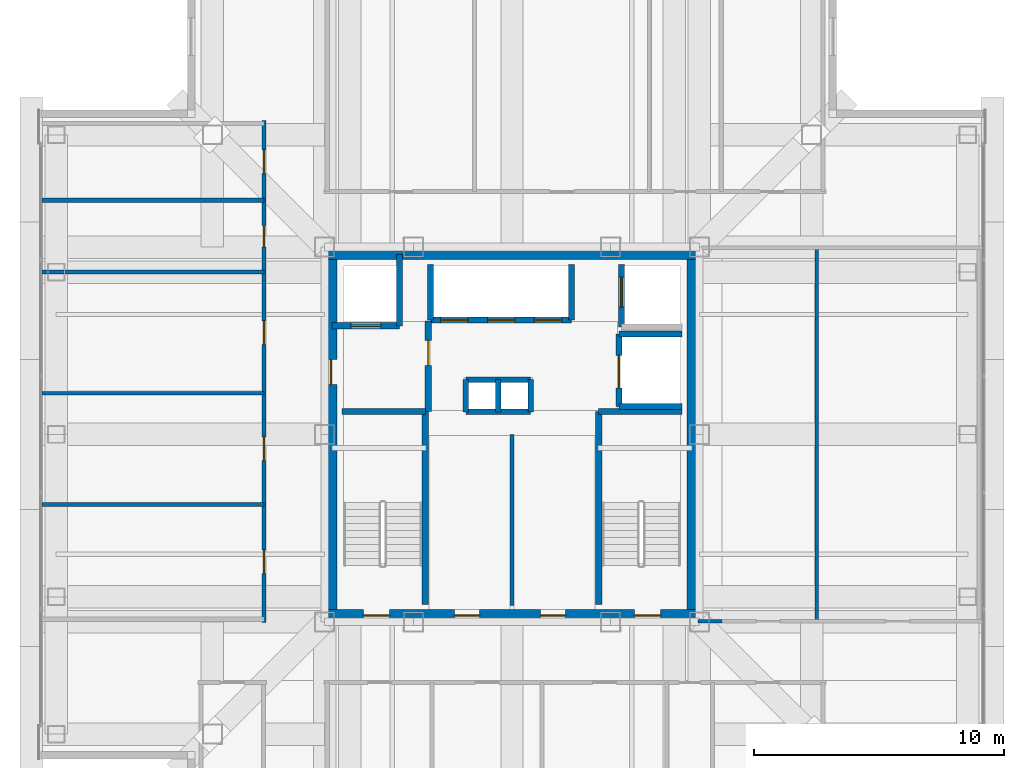
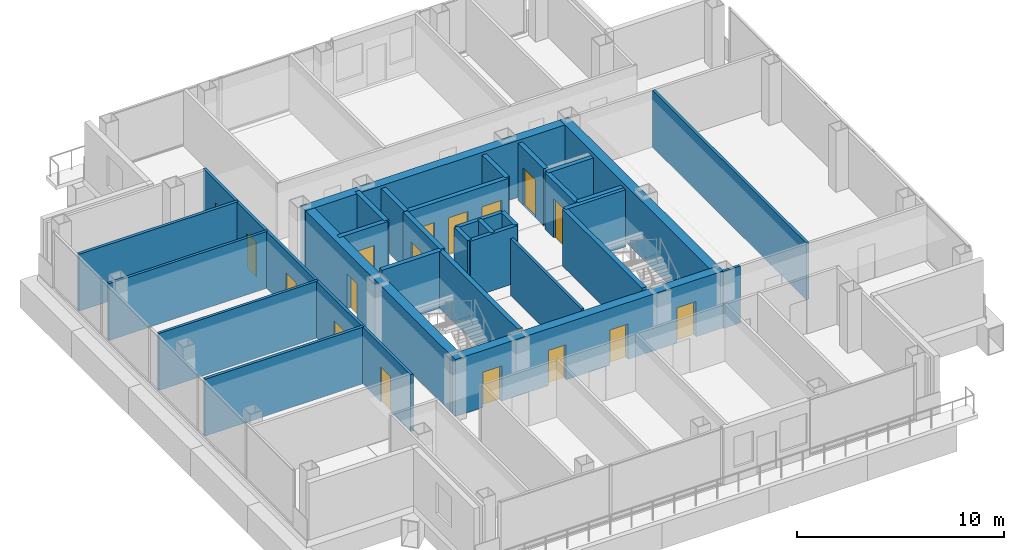
# One storey, part 8 of 15: 31 walls, 17 doors, 17 openings.
"""IFC4 building model written with IfcOpenShell, lengths in metres."""

import ifcopenshell
import ifcopenshell.guid

model = None  # the IFC model being written
_history = None  # IfcOwnerHistory: only IFC2X3 demands one
_inside = {}  # id of a spatial element -> (the spatial element, [elements in it])
_under = {}  # id of a project, library or spatial element -> (it, [spatial elements below it])
_declared = {}  # id of a project -> (the project, [libraries it declares])
_typed = {}  # id of a type object -> (the type object, [elements of that type])
_made_of = {}  # id of a material, layer set ... -> (it, [elements and type objects made of it])


def new_model(schema):
    """Start an empty IFC model of exactly this schema.

    Asked for "IFC4X3", IfcOpenShell would pick the latest addendum, in which some entities
    have other attributes; the version numbers below select the first issue.
    IFC2X3 requires an IfcOwnerHistory on every rooted entity: one is made here for all.
    """
    global model, _history
    if schema == "IFC4X3":
        model = ifcopenshell.file(schema_version=(4, 3, 0, 0))
    else:
        model = ifcopenshell.file(schema=schema)
    _inside.clear()
    _under.clear()
    _declared.clear()
    _typed.clear()
    _made_of.clear()
    _history = None
    if model.schema == "IFC2X3":
        org = make("IfcOrganization", Name="unknown")
        user = make(
            "IfcPersonAndOrganization",
            ThePerson=make("IfcPerson", FamilyName="unknown"),
            TheOrganization=org,
        )
        app = make(
            "IfcApplication",
            ApplicationDeveloper=org,
            Version="unknown",
            ApplicationFullName="unknown",
            ApplicationIdentifier="unknown",
        )
        _history = make(
            "IfcOwnerHistory",
            OwningUser=user,
            OwningApplication=app,
            ChangeAction="ADDED",
            CreationDate=0,
        )
    return model


def make(cls, **values):
    """One entity of the class cls with the attributes given. An attribute that is None is left unset."""
    return model.create_entity(
        cls, **{name: value for name, value in values.items() if value is not None}
    )


def rooted(cls, **values):
    """An entity with a GlobalId (a new one), such as an element, a storey or a relation."""
    return make(cls, GlobalId=ifcopenshell.guid.new(), OwnerHistory=_history, **values)


def si_unit(unit_type, name, prefix=None):
    """IfcSIUnit, for example si_unit("LENGTHUNIT", "METRE", prefix="MILLI")."""
    return make("IfcSIUnit", UnitType=unit_type, Prefix=prefix, Name=name)


def assignment(units):
    """IfcUnitAssignment: the units of a project."""
    return None if units is None else make("IfcUnitAssignment", Units=units)


def point(xyz):
    """IfcCartesianPoint."""
    return None if xyz is None else make("IfcCartesianPoint", Coordinates=xyz)


def direction(xyz):
    """IfcDirection."""
    return None if xyz is None else make("IfcDirection", DirectionRatios=xyz)


def frame(location, z_axis=None, x_axis=None):
    """IfcAxis2Placement3D, a coordinate frame: its origin and axes. An axis left out is left unset."""
    return make(
        "IfcAxis2Placement3D",
        Location=point(location),
        Axis=direction(z_axis),
        RefDirection=direction(x_axis),
    )


def frame_2d(location, x_axis=None):
    """IfcAxis2Placement2D, a coordinate frame in the plane: its origin and x axis."""
    return make(
        "IfcAxis2Placement2D", Location=point(location), RefDirection=direction(x_axis)
    )


def origin():
    """The frame at (0, 0, 0) with its axes left unset."""
    return frame((0.0, 0.0, 0.0))


def place(relative_to, where):
    """IfcLocalPlacement: puts the frame where relative to a parent placement (None: the world)."""
    return make(
        "IfcLocalPlacement", PlacementRelTo=relative_to, RelativePlacement=where
    )


def context(
    kind, dimensions, precision=None, world=None, true_north=None, identifier=None
):
    """IfcGeometricRepresentationContext, for example the 3D "Model" context."""
    return make(
        "IfcGeometricRepresentationContext",
        ContextIdentifier=identifier,
        ContextType=kind,
        CoordinateSpaceDimension=dimensions,
        Precision=precision,
        WorldCoordinateSystem=world,
        TrueNorth=true_north,
    )


def subcontext(parent, identifier, kind, view, scale=None):
    """IfcGeometricRepresentationSubContext, for example "Body" below "Model"."""
    return make(
        "IfcGeometricRepresentationSubContext",
        ContextIdentifier=identifier,
        ContextType=kind,
        ParentContext=parent,
        TargetScale=scale,
        TargetView=view,
    )


def project(units=None, contexts=None):
    """IfcProject with its units and contexts."""
    return rooted(
        "IfcProject",
        Name="project",
        RepresentationContexts=contexts,
        UnitsInContext=assignment(units),
    )


def spatial(cls, under=None, at=None, **own):
    """A site, building, storey or space (cls), placed at a placement, below another one or the project."""
    s = rooted(cls, ObjectPlacement=at, **own)
    if under is not None:
        _under.setdefault(under.id(), (under, []))[1].append(s)
    return s


def profile(cls, at=None, kind="AREA", **sizes):
    """A parametric profile (cls). Its sizes go by their IFC names, for example OverallWidth=200.0."""
    return make(cls, ProfileType=kind, Position=at, **sizes)


def rectangle(**sizes):
    """IfcRectangleProfileDef."""
    return profile("IfcRectangleProfileDef", **sizes)


def extrude(swept, where, along, depth):
    """IfcExtrudedAreaSolid: the profile swept, set in the frame where, extruded along a direction by depth."""
    return make(
        "IfcExtrudedAreaSolid",
        SweptArea=swept,
        Position=where,
        ExtrudedDirection=direction(along),
        Depth=depth,
    )


def shape(context_of_items, identifier, shape_type, items):
    """IfcShapeRepresentation: the items that make up one representation, for example the "Body"."""
    return make(
        "IfcShapeRepresentation",
        ContextOfItems=context_of_items,
        RepresentationIdentifier=identifier,
        RepresentationType=shape_type,
        Items=items,
    )


def material(Name=None, Category=None):
    """IfcMaterial."""
    return make("IfcMaterial", Name=Name, Category=Category)


def layer(
    of_material, thickness, ventilated=None, Name=None, Category=None, Priority=None
):
    """IfcMaterialLayer: one layer of a wall or slab, of a material (None: an air gap)."""
    return make(
        "IfcMaterialLayer",
        Material=of_material,
        LayerThickness=thickness,
        IsVentilated=ventilated,
        Name=Name,
        Category=Category,
        Priority=Priority,
    )


def layer_set(layers, Name=None):
    """IfcMaterialLayerSet."""
    return make("IfcMaterialLayerSet", MaterialLayers=layers, LayerSetName=Name)


def made_of(thing, what):
    """Note that an element or type object is made of a material, layer set ...; save() writes the relation."""
    if what is not None:
        _made_of.setdefault(what.id(), (what, []))[1].append(thing)
    return thing


def type_object(cls, material=None, **own):
    """A type object (cls), such as IfcWallType, which elements share."""
    return made_of(rooted(cls, **own), material)


def element(
    cls,
    number,
    at=None,
    inside=None,
    cuts=None,
    type_object=None,
    material=None,
    context=None,
    identifier="Body",
    shape_type=None,
    held_by="IfcProductDefinitionShape",
    body=None,
    shapes=None,
    **own,
):
    """One element of the class cls, such as IfcWall. Its Tag is "e" and its number.

    at: its placement. inside: the storey or other place that contains it. cuts: it is an
    opening in that element (IfcRelVoidsElement). A single representation is given by context,
    identifier, shape_type and body (its items); several are given by shapes. held_by: the class
    of the entity that holds the representations. save() writes the other relations.
    """
    e = rooted(cls, Tag="e%d" % number, ObjectPlacement=at, **own)
    if body is not None:
        shapes = [shape(context, identifier, shape_type, body)]
    if shapes is not None:
        e.Representation = make(held_by, Representations=shapes)
    if inside is not None:
        _inside.setdefault(inside.id(), (inside, []))[1].append(e)
    if cuts is not None:
        rooted(
            "IfcRelVoidsElement", RelatingBuildingElement=cuts, RelatedOpeningElement=e
        )
    if type_object is not None:
        _typed.setdefault(type_object.id(), (type_object, []))[1].append(e)
    return made_of(e, material)


def fill(opening, filler):
    """IfcRelFillsElement: the door or window that sits in an opening."""
    return rooted(
        "IfcRelFillsElement",
        RelatingOpeningElement=opening,
        RelatedBuildingElement=filler,
    )


def aggregate(whole, parts):
    """IfcRelAggregates: a whole, such as a stair, and the parts it consists of."""
    return rooted("IfcRelAggregates", RelatingObject=whole, RelatedObjects=parts)


def save(model, path):
    """Write the relations noted so far, then the file.

    IfcRelAggregates (storeys below a building ...), IfcRelContainedInSpatialStructure (elements
    in a storey), IfcRelDefinesByType, IfcRelAssociatesMaterial and IfcRelDeclares: one each for
    every whole, place, type object, material and project.
    """
    for whole, parts in _under.values():
        aggregate(whole, parts)
    for where, things in _inside.values():
        rooted(
            "IfcRelContainedInSpatialStructure",
            RelatedElements=things,
            RelatingStructure=where,
        )
    for kind, things in _typed.values():
        rooted("IfcRelDefinesByType", RelatedObjects=things, RelatingType=kind)
    for what, things in _made_of.values():
        rooted("IfcRelAssociatesMaterial", RelatedObjects=things, RelatingMaterial=what)
    for by, libraries in _declared.values():
        rooted("IfcRelDeclares", RelatingContext=by, RelatedDefinitions=libraries)
    model.write(path)


model = new_model("IFC4")

# Units and contexts
model_context = context("Model", 3, precision=1e-05, world=origin(), true_north=direction((0.0, 1.0)))
body_context = subcontext(model_context, "Body", "Model", "MODEL_VIEW")
ifc_project = project(units=[si_unit("LENGTHUNIT", "METRE"), si_unit("AREAUNIT", "SQUARE_METRE"), si_unit("VOLUMEUNIT", "CUBIC_METRE"), si_unit("PLANEANGLEUNIT", "RADIAN"), si_unit("MASSUNIT", "GRAM", prefix="KILO")], contexts=[model_context])

# Site, building, storey
site_placement = place(None, origin())
site = spatial("IfcSite", under=ifc_project, at=site_placement, CompositionType="ELEMENT")
building_placement = place(site_placement, origin())
building = spatial("IfcBuilding", under=site, at=building_placement, Name="Trevonay Congress Spire", CompositionType="ELEMENT")
storey_placement = place(building_placement, frame((0.0, 0.0, 232.39990234375)))
storey = spatial("IfcBuildingStorey", under=building, at=storey_placement, Name="L60", CompositionType="ELEMENT", Elevation=232.39990234375)

# Wall, openings, doors
ifc_material_1 = material(Name="Concrete C50/60", Category="concrete")
ifc_layer_1 = layer(ifc_material_1, 0.5, Name="Concrete C50/60")
ifc_layer_set_1 = layer_set([ifc_layer_1], Name="Concrete C50/60")
wall_type_1 = type_object("IfcWallType", Name="WAL-CORE-500", PredefinedType="SHEAR", material=ifc_layer_set_1)
wall_1_placement = place(storey_placement, frame((-7.5, -7.25, 0.0), z_axis=(0.0, 0.0, 1.0), x_axis=(1.0, 0.0, 0.0)))
wall_1 = element("IfcWall", 1, at=wall_1_placement, inside=storey, type_object=wall_type_1, Name="L60 South structural core shear wall", PredefinedType="SHEAR", context=body_context, shape_type="SweptSolid", body=[
    extrude(rectangle(XDim=15.0, YDim=0.5, at=frame_2d((7.5, 0.0))), origin(), (0.0, 0.0, 1.0), 3.360107421875),
])
opening_1_placement = place(wall_1_placement, frame((1.550048828125, 0.0, 0.0)))
opening_1 = element("IfcOpeningElement", 2, at=opening_1_placement, cuts=wall_1, Name="Opening D05", PredefinedType="OPENING", context=body_context, shape_type="SweptSolid", body=[
    extrude(rectangle(XDim=1.050048828125, YDim=2.080078125, at=frame_2d((0.52490234375, 1.0400390625))), frame((0.0, 0.260009765625, 0.0), z_axis=(0.0, -1.0, 0.0), x_axis=(1.0, 0.0, 0.0)), (0.0, 0.0, 1.0), 0.52001953125),
])
opening_2_placement = place(wall_1_placement, frame((12.39990234375, 0.0, 0.0)))
opening_2 = element("IfcOpeningElement", 3, at=opening_2_placement, cuts=wall_1, Name="Opening D05", PredefinedType="OPENING", context=body_context, shape_type="SweptSolid", body=[
    extrude(rectangle(XDim=1.050048828125, YDim=2.080078125, at=frame_2d((0.52490234375, 1.0400390625))), frame((0.0, 0.260009765625, 0.0), z_axis=(0.0, -1.0, 0.0), x_axis=(1.0, 0.0, 0.0)), (0.0, 0.0, 1.0), 0.52001953125),
])
opening_3_placement = place(wall_1_placement, frame((5.199951171875, 0.0, 0.0)))
opening_3 = element("IfcOpeningElement", 4, at=opening_3_placement, cuts=wall_1, Name="Opening D06", PredefinedType="OPENING", context=body_context, shape_type="SweptSolid", body=[
    extrude(rectangle(XDim=1.0, YDim=2.080078125, at=frame_2d((0.5, 1.0400390625))), frame((0.0, 0.260009765625, 0.0), z_axis=(0.0, -1.0, 0.0), x_axis=(1.0, 0.0, 0.0)), (0.0, 0.0, 1.0), 0.52001953125),
])
opening_4_placement = place(wall_1_placement, frame((8.64990234375, 0.0, 0.0)))
opening_4 = element("IfcOpeningElement", 5, at=opening_4_placement, cuts=wall_1, Name="Opening D06", PredefinedType="OPENING", context=body_context, shape_type="SweptSolid", body=[
    extrude(rectangle(XDim=1.0, YDim=2.080078125, at=frame_2d((0.5, 1.0400390625))), frame((0.0, 0.260009765625, 0.0), z_axis=(0.0, -1.0, 0.0), x_axis=(1.0, 0.0, 0.0)), (0.0, 0.0, 1.0), 0.52001953125),
])
ifc_material_2 = material(Name="Steel ASTM A572 Grade 50", Category="steel")
door_type_1 = type_object("IfcDoorType", Name="DOR-FIRE-100", OperationType="NOTDEFINED", PredefinedType="DOOR", material=ifc_material_2)
door_1_placement = place(opening_3_placement, origin())
door_1 = element("IfcDoor", 6, at=door_1_placement, inside=storey, type_object=door_type_1, Name="L60 South Core Room 1 Door", OperationType="SINGLE_SWING_LEFT", OverallHeight=2.080078125, OverallWidth=1.0, PredefinedType="DOOR", context=body_context, shape_type="SweptSolid", body=[
    extrude(rectangle(XDim=1.0, YDim=2.080078125, at=frame_2d((0.5, 1.0400390625))), frame((0.0, 0.02490234375, 0.0), z_axis=(0.0, -1.0, 0.0), x_axis=(1.0, 0.0, 0.0)), (0.0, 0.0, 1.0), 0.050048828125),
])
fill(opening_3, door_1)
door_2_placement = place(opening_4_placement, origin())
door_2 = element("IfcDoor", 7, at=door_2_placement, inside=storey, type_object=door_type_1, Name="L60 South Core Room 2 Door", OperationType="SINGLE_SWING_RIGHT", OverallHeight=2.080078125, OverallWidth=1.0, PredefinedType="DOOR", context=body_context, shape_type="SweptSolid", body=[
    extrude(rectangle(XDim=1.0, YDim=2.080078125, at=frame_2d((0.5, 1.0400390625))), frame((0.0, 0.02490234375, 0.0), z_axis=(0.0, -1.0, 0.0), x_axis=(1.0, 0.0, 0.0)), (0.0, 0.0, 1.0), 0.050048828125),
])
fill(opening_4, door_2)
door_type_2 = type_object("IfcDoorType", Name="DOR-STAIR-110", OperationType="NOTDEFINED", PredefinedType="DOOR", material=ifc_material_2)
door_3_placement = place(opening_1_placement, origin())
door_3 = element("IfcDoor", 8, at=door_3_placement, inside=storey, type_object=door_type_2, Name="L60 Protected Stair ST-1 Door", OperationType="SINGLE_SWING_RIGHT", OverallHeight=2.080078125, OverallWidth=1.050048828125, PredefinedType="DOOR", context=body_context, shape_type="SweptSolid", body=[
    extrude(rectangle(XDim=1.050048828125, YDim=2.080078125, at=frame_2d((0.52490234375, 1.0400390625))), frame((0.0, 0.02490234375, 0.0), z_axis=(0.0, -1.0, 0.0), x_axis=(1.0, 0.0, 0.0)), (0.0, 0.0, 1.0), 0.050048828125),
])
fill(opening_1, door_3)
door_4_placement = place(opening_2_placement, origin())
door_4 = element("IfcDoor", 9, at=door_4_placement, inside=storey, type_object=door_type_2, Name="L60 Protected Stair ST-2 Door", OperationType="SINGLE_SWING_LEFT", OverallHeight=2.080078125, OverallWidth=1.050048828125, PredefinedType="DOOR", context=body_context, shape_type="SweptSolid", body=[
    extrude(rectangle(XDim=1.050048828125, YDim=2.080078125, at=frame_2d((0.52490234375, 1.0400390625))), frame((0.0, 0.02490234375, 0.0), z_axis=(0.0, -1.0, 0.0), x_axis=(1.0, 0.0, 0.0)), (0.0, 0.0, 1.0), 0.050048828125),
])
fill(opening_2, door_4)

# Wall
wall_2_placement = place(storey_placement, frame((-7.5, 7.25, 0.0), z_axis=(0.0, 0.0, 1.0), x_axis=(1.0, 0.0, 0.0)))
element("IfcWall", 10, at=wall_2_placement, inside=storey, type_object=wall_type_1, Name="L60 North structural core shear wall", PredefinedType="SHEAR", context=body_context, shape_type="SweptSolid", body=[
    extrude(rectangle(XDim=15.0, YDim=0.5, at=frame_2d((7.5, 0.0))), origin(), (0.0, 0.0, 1.0), 3.360107421875),
])

# Wall, opening, door
wall_3_placement = place(storey_placement, frame((-7.25, -7.5, 0.0), z_axis=(0.0, 0.0, 1.0), x_axis=(0.0, 1.0, 0.0)))
wall_3 = element("IfcWall", 11, at=wall_3_placement, inside=storey, type_object=wall_type_1, Name="L60 West structural core shear wall", PredefinedType="SHEAR", context=body_context, shape_type="SweptSolid", body=[
    extrude(rectangle(XDim=15.0, YDim=0.5, at=frame_2d((7.5, 0.0))), origin(), (0.0, 0.0, 1.0), 3.360107421875),
])
opening_5_placement = place(wall_3_placement, frame((9.5, 0.0, 0.0)))
opening_5 = element("IfcOpeningElement", 12, at=opening_5_placement, cuts=wall_3, Name="Opening D06", PredefinedType="OPENING", context=body_context, shape_type="SweptSolid", body=[
    extrude(rectangle(XDim=1.0, YDim=2.080078125, at=frame_2d((0.5, 1.0400390625))), frame((0.0, 0.260009765625, 0.0), z_axis=(0.0, -1.0, 0.0), x_axis=(1.0, 0.0, 0.0)), (0.0, 0.0, 1.0), 0.52001953125),
])
door_5_placement = place(opening_5_placement, origin())
door_5 = element("IfcDoor", 13, at=door_5_placement, inside=storey, type_object=door_type_1, Name="L60 Firefighting Lift Lobby West Corridor Door", OperationType="SINGLE_SWING_RIGHT", OverallHeight=2.080078125, OverallWidth=1.0, PredefinedType="DOOR", context=body_context, shape_type="SweptSolid", body=[
    extrude(rectangle(XDim=1.0, YDim=2.080078125, at=frame_2d((0.5, 1.0400390625))), frame((0.0, 0.02490234375, 0.0), z_axis=(0.0, -1.0, 0.0), x_axis=(1.0, 0.0, 0.0)), (0.0, 0.0, 1.0), 0.050048828125),
])
fill(opening_5, door_5)

# Wall
wall_4_placement = place(storey_placement, frame((7.25, -7.5, 0.0), z_axis=(0.0, 0.0, 1.0), x_axis=(0.0, 1.0, 0.0)))
element("IfcWall", 14, at=wall_4_placement, inside=storey, type_object=wall_type_1, Name="L60 East structural core shear wall", PredefinedType="SHEAR", context=body_context, shape_type="SweptSolid", body=[
    extrude(rectangle(XDim=15.0, YDim=0.5, at=frame_2d((7.5, 0.0))), origin(), (0.0, 0.0, 1.0), 3.360107421875),
])

# Wall, openings, doors
ifc_material_3 = material(Name="Concrete C40/50", Category="concrete")
ifc_layer_2 = layer(ifc_material_3, 0.14990234375, Name="Concrete C40/50")
ifc_layer_set_2 = layer_set([ifc_layer_2], Name="Concrete C40/50")
wall_type_2 = type_object("IfcWallType", Name="WAL-CORR-150", PredefinedType="PARTITIONING", material=ifc_layer_set_2)
wall_5_placement = place(storey_placement, frame((-9.929931640625, -7.52001953125, 0.0), z_axis=(0.0, 0.0, 1.0), x_axis=(0.0, 1.0, 0.0)))
wall_5 = element("IfcWall", 15, at=wall_5_placement, inside=storey, type_object=wall_type_2, Name="L60 interior wall WP-L60NW-COR", PredefinedType="PARTITIONING", context=body_context, shape_type="SweptSolid", body=[
    extrude(rectangle(XDim=20.090087890625, YDim=0.14990234375, at=frame_2d((10.044921875, 0.0))), origin(), (0.0, 0.0, 1.0), 3.360107421875),
])
opening_6_placement = place(wall_5_placement, frame((1.945068359375, 0.0, 0.0)))
opening_6 = element("IfcOpeningElement", 16, at=opening_6_placement, cuts=wall_5, Name="Opening D07", PredefinedType="OPENING", context=body_context, shape_type="SweptSolid", body=[
    extrude(rectangle(XDim=0.949951171875, YDim=2.06005859375, at=frame_2d((0.47509765625, 1.030029296875))), frame((0.0, 0.0849609375, 0.0), z_axis=(0.0, -1.0, 0.0), x_axis=(1.0, 0.0, 0.0)), (0.0, 0.0, 1.0), 0.169921875),
])
opening_7_placement = place(wall_5_placement, frame((6.469970703125, 0.0, 0.0)))
opening_7 = element("IfcOpeningElement", 17, at=opening_7_placement, cuts=wall_5, Name="Opening D07", PredefinedType="OPENING", context=body_context, shape_type="SweptSolid", body=[
    extrude(rectangle(XDim=0.949951171875, YDim=2.06005859375, at=frame_2d((0.47509765625, 1.030029296875))), frame((0.0, 0.0849609375, 0.0), z_axis=(0.0, -1.0, 0.0), x_axis=(1.0, 0.0, 0.0)), (0.0, 0.0, 1.0), 0.169921875),
])
opening_8_placement = place(wall_5_placement, frame((11.1201171875, 0.0, 0.0)))
opening_8 = element("IfcOpeningElement", 18, at=opening_8_placement, cuts=wall_5, Name="Opening D07", PredefinedType="OPENING", context=body_context, shape_type="SweptSolid", body=[
    extrude(rectangle(XDim=0.949951171875, YDim=2.06005859375, at=frame_2d((0.47509765625, 1.030029296875))), frame((0.0, 0.0849609375, 0.0), z_axis=(0.0, -1.0, 0.0), x_axis=(1.0, 0.0, 0.0)), (0.0, 0.0, 1.0), 0.169921875),
])
opening_9_placement = place(wall_5_placement, frame((15.034912109375, 0.0, 0.0)))
opening_9 = element("IfcOpeningElement", 19, at=opening_9_placement, cuts=wall_5, Name="Opening D10", PredefinedType="OPENING", context=body_context, shape_type="SweptSolid", body=[
    extrude(rectangle(XDim=0.85009765625, YDim=2.050048828125, at=frame_2d((0.425048828125, 1.02490234375))), frame((0.0, 0.0849609375, 0.0), z_axis=(0.0, -1.0, 0.0), x_axis=(1.0, 0.0, 0.0)), (0.0, 0.0, 1.0), 0.169921875),
])
opening_10_placement = place(wall_5_placement, frame((17.9599609375, 0.0, 0.0)))
opening_10 = element("IfcOpeningElement", 20, at=opening_10_placement, cuts=wall_5, Name="Opening D07", PredefinedType="OPENING", context=body_context, shape_type="SweptSolid", body=[
    extrude(rectangle(XDim=0.949951171875, YDim=2.06005859375, at=frame_2d((0.47509765625, 1.030029296875))), frame((0.0, 0.0849609375, 0.0), z_axis=(0.0, -1.0, 0.0), x_axis=(1.0, 0.0, 0.0)), (0.0, 0.0, 1.0), 0.169921875),
])
ifc_material_4 = material(Name="Pale Anodised Aluminium EN AW-6063-T6", Category="aluminium")
door_type_3 = type_object("IfcDoorType", Name="DOR-OFFICE-95", OperationType="NOTDEFINED", PredefinedType="DOOR", material=ifc_material_4)
door_6_placement = place(opening_6_placement, origin())
door_6 = element("IfcDoor", 21, at=door_6_placement, inside=storey, type_object=door_type_3, Name="L60 Cultural Attache Office Door", OperationType="SINGLE_SWING_RIGHT", OverallHeight=2.06005859375, OverallWidth=0.949951171875, PredefinedType="DOOR", context=body_context, shape_type="SweptSolid", body=[
    extrude(rectangle(XDim=0.949951171875, YDim=2.06005859375, at=frame_2d((0.47509765625, 1.030029296875))), frame((0.0, 0.02490234375, 0.0), z_axis=(0.0, -1.0, 0.0), x_axis=(1.0, 0.0, 0.0)), (0.0, 0.0, 1.0), 0.050048828125),
])
fill(opening_6, door_6)
door_7_placement = place(opening_7_placement, origin())
door_7 = element("IfcDoor", 22, at=door_7_placement, inside=storey, type_object=door_type_3, Name="L60 Press Attache Office Door", OperationType="SINGLE_SWING_LEFT", OverallHeight=2.06005859375, OverallWidth=0.949951171875, PredefinedType="DOOR", context=body_context, shape_type="SweptSolid", body=[
    extrude(rectangle(XDim=0.949951171875, YDim=2.06005859375, at=frame_2d((0.47509765625, 1.030029296875))), frame((0.0, 0.02490234375, 0.0), z_axis=(0.0, -1.0, 0.0), x_axis=(1.0, 0.0, 0.0)), (0.0, 0.0, 1.0), 0.050048828125),
])
fill(opening_7, door_7)
door_8_placement = place(opening_8_placement, origin())
door_8 = element("IfcDoor", 23, at=door_8_placement, inside=storey, type_object=door_type_3, Name="L60 Registry Cipher Office Door", OperationType="SINGLE_SWING_RIGHT", OverallHeight=2.06005859375, OverallWidth=0.949951171875, PredefinedType="DOOR", context=body_context, shape_type="SweptSolid", body=[
    extrude(rectangle(XDim=0.949951171875, YDim=2.06005859375, at=frame_2d((0.47509765625, 1.030029296875))), frame((0.0, 0.02490234375, 0.0), z_axis=(0.0, -1.0, 0.0), x_axis=(1.0, 0.0, 0.0)), (0.0, 0.0, 1.0), 0.050048828125),
])
fill(opening_8, door_8)
door_9_placement = place(opening_10_placement, origin())
door_9 = element("IfcDoor", 24, at=door_9_placement, inside=storey, type_object=door_type_3, Name="L60 Floor Supplies and Copy Room Door", OperationType="SINGLE_SWING_RIGHT", OverallHeight=2.06005859375, OverallWidth=0.949951171875, PredefinedType="DOOR", context=body_context, shape_type="SweptSolid", body=[
    extrude(rectangle(XDim=0.949951171875, YDim=2.06005859375, at=frame_2d((0.47509765625, 1.030029296875))), frame((0.0, 0.02490234375, 0.0), z_axis=(0.0, -1.0, 0.0), x_axis=(1.0, 0.0, 0.0)), (0.0, 0.0, 1.0), 0.050048828125),
])
fill(opening_10, door_9)
door_type_4 = type_object("IfcDoorType", Name="DOR-WC-85", OperationType="NOTDEFINED", PredefinedType="DOOR", material=ifc_material_4)
door_10_placement = place(opening_9_placement, origin())
door_10 = element("IfcDoor", 25, at=door_10_placement, inside=storey, type_object=door_type_4, Name="L60 Male Restroom WC Door", OperationType="SINGLE_SWING_LEFT", OverallHeight=2.050048828125, OverallWidth=0.85009765625, PredefinedType="DOOR", context=body_context, shape_type="SweptSolid", body=[
    extrude(rectangle(XDim=0.85009765625, YDim=2.050048828125, at=frame_2d((0.425048828125, 1.02490234375))), frame((0.0, 0.02490234375, 0.0), z_axis=(0.0, -1.0, 0.0), x_axis=(1.0, 0.0, 0.0)), (0.0, 0.0, 1.0), 0.050048828125),
])
fill(opening_9, door_10)

# Walls
wall_6_placement = place(storey_placement, frame((7.449951171875, -7.47998046875, 0.0), z_axis=(0.0, 0.0, 1.0), x_axis=(1.0, 0.0, 0.0)))
element("IfcWall", 26, at=wall_6_placement, inside=storey, type_object=wall_type_2, Name="L60 interior wall WP-L60E-STUB", PredefinedType="PARTITIONING", context=body_context, shape_type="SweptSolid", body=[
    extrude(rectangle(XDim=0.949951171875, YDim=0.14990234375, at=frame_2d((0.47509765625, 0.0))), origin(), (0.0, 0.0, 1.0), 3.360107421875),
])
ifc_layer_3 = layer(ifc_material_3, 0.14990234375, Name="Concrete C40/50")
ifc_layer_set_3 = layer_set([ifc_layer_3], Name="Concrete C40/50")
wall_type_3 = type_object("IfcWallType", Name="WAL-PART-150", PredefinedType="PARTITIONING", material=ifc_layer_set_3)
wall_7_placement = place(storey_placement, frame((0.0, -6.85009765625, 0.0), z_axis=(0.0, 0.0, 1.0), x_axis=(0.0, 1.0, 0.0)))
element("IfcWall", 27, at=wall_7_placement, inside=storey, type_object=wall_type_3, Name="L60 interior wall CW-F0-L60", PredefinedType="PARTITIONING", context=body_context, shape_type="SweptSolid", body=[
    extrude(rectangle(XDim=6.85009765625, YDim=0.14990234375, at=frame_2d((3.425048828125, 0.0))), origin(), (0.0, 0.0, 1.0), 3.360107421875),
])
for number, where, z_axis, x_axis, name in (
    (28, (-18.820068359375, 1.64990234375, 0.0), (0.0, 0.0, 1.0), (1.0, 0.0, 0.0), "L60 interior wall WP-L60NW-DIV3"),
    (29, (-18.820068359375, 6.5, 0.0), (0.0, 0.0, 1.0), (1.0, 0.0, 0.0), "L60 interior wall WP-L60NW-DIV4"),
):
    element("IfcWall", number, at=place(storey_placement, frame(where, z_axis=z_axis, x_axis=x_axis)), inside=storey, type_object=wall_type_3, Name=name, PredefinedType="PARTITIONING", context=body_context, shape_type="SweptSolid", body=[
        extrude(rectangle(XDim=8.89013671875, YDim=0.14990234375, at=frame_2d((4.445068359375, 0.0))), origin(), (0.0, 0.0, 1.0), 3.360107421875),
    ])
wall_8_placement = place(storey_placement, frame((12.199951171875, -7.47998046875, 0.0), z_axis=(0.0, 0.0, 1.0), x_axis=(0.0, 1.0, 0.0)))
element("IfcWall", 30, at=wall_8_placement, inside=storey, type_object=wall_type_3, Name="L60 interior wall WP-L60E-DIV1", PredefinedType="PARTITIONING", context=body_context, shape_type="SweptSolid", body=[
    extrude(rectangle(XDim=14.89990234375, YDim=0.14990234375, at=frame_2d((7.449951171875, 0.0))), origin(), (0.0, 0.0, 1.0), 3.360107421875),
])
ifc_layer_4 = layer(ifc_material_3, 0.219970703125, Name="Concrete C40/50")
ifc_layer_set_4 = layer_set([ifc_layer_4], Name="Concrete C40/50")
wall_type_4 = type_object("IfcWallType", Name="WAL-SHAFT-220", PredefinedType="PARTITIONING", material=ifc_layer_set_4)
for number, where, z_axis, x_axis, name in (
    (31, (-1.85009765625, 2.199951171875, 0.0), (0.0, 0.0, 1.0), (1.0, 0.0, 0.0), "L60 interior shaft wall WSH-L60-RSR-N"),
    (32, (-1.85009765625, 0.89990234375, 0.0), (0.0, 0.0, 1.0), (1.0, 0.0, 0.0), "L60 interior shaft wall WSH-L60-RSR-S"),
):
    element("IfcWall", number, at=place(storey_placement, frame(where, z_axis=z_axis, x_axis=x_axis)), inside=storey, type_object=wall_type_4, Name=name, PredefinedType="PARTITIONING", context=body_context, shape_type="SweptSolid", body=[
        extrude(rectangle(XDim=2.60009765625, YDim=0.219970703125, at=frame_2d((1.300048828125, 0.0))), origin(), (0.0, 0.0, 1.0), 3.360107421875),
    ])
for number, where, z_axis, x_axis, name in (
    (33, (-0.550048828125, 0.89990234375, 0.0), (0.0, 0.0, 1.0), (0.0, 1.0, 0.0), "L60 interior shaft wall WSH-L60-RSR-M"),
    (34, (0.75, 0.89990234375, 0.0), (0.0, 0.0, 1.0), (0.0, 1.0, 0.0), "L60 interior shaft wall WSH-L60-RSR-E"),
    (35, (-1.85009765625, 0.89990234375, 0.0), (0.0, 0.0, 1.0), (0.0, 1.0, 0.0), "L60 interior shaft wall WSH-L60-RSR-W"),
):
    element("IfcWall", number, at=place(storey_placement, frame(where, z_axis=z_axis, x_axis=x_axis)), inside=storey, type_object=wall_type_4, Name=name, PredefinedType="PARTITIONING", context=body_context, shape_type="SweptSolid", body=[
        extrude(rectangle(XDim=1.300048828125, YDim=0.219970703125, at=frame_2d((0.64990234375, 0.0))), origin(), (0.0, 0.0, 1.0), 3.360107421875),
    ])

# Wall, openings, doors
ifc_layer_5 = layer(ifc_material_3, 0.25, Name="Concrete C40/50")
ifc_layer_set_5 = layer_set([ifc_layer_5], Name="Concrete C40/50")
wall_type_5 = type_object("IfcWallType", Name="WAL-SHAFT-250", PredefinedType="SHEAR", material=ifc_layer_set_5)
wall_9_placement = place(storey_placement, frame((-3.260009765625, 4.580078125, 0.0), z_axis=(0.0, 0.0, 1.0), x_axis=(1.0, 0.0, 0.0)))
wall_9 = element("IfcWall", 36, at=wall_9_placement, inside=storey, type_object=wall_type_5, Name="L60 interior shaft wall WSH-L60-B3-S", PredefinedType="SHEAR", context=body_context, shape_type="SweptSolid", body=[
    extrude(rectangle(XDim=5.639892578125, YDim=0.25, at=frame_2d((2.81982421875, 0.0))), origin(), (0.0, 0.0, 1.0), 3.360107421875),
])
opening_11_placement = place(wall_9_placement, frame((0.39990234375, 0.0, 0.0)))
opening_11 = element("IfcOpeningElement", 37, at=opening_11_placement, cuts=wall_9, Name="Opening LD03", PredefinedType="OPENING", context=body_context, shape_type="SweptSolid", body=[
    extrude(rectangle(XDim=1.10009765625, YDim=2.199951171875, at=frame_2d((0.550048828125, 1.10009765625))), frame((0.0, 0.135009765625, 0.0), z_axis=(0.0, -1.0, 0.0), x_axis=(1.0, 0.0, 0.0)), (0.0, 0.0, 1.0), 0.27001953125),
])
opening_12_placement = place(wall_9_placement, frame((2.280029296875, 0.0, 0.0)))
opening_12 = element("IfcOpeningElement", 38, at=opening_12_placement, cuts=wall_9, Name="Opening LD03", PredefinedType="OPENING", context=body_context, shape_type="SweptSolid", body=[
    extrude(rectangle(XDim=1.10009765625, YDim=2.199951171875, at=frame_2d((0.550048828125, 1.10009765625))), frame((0.0, 0.135009765625, 0.0), z_axis=(0.0, -1.0, 0.0), x_axis=(1.0, 0.0, 0.0)), (0.0, 0.0, 1.0), 0.27001953125),
])
opening_13_placement = place(wall_9_placement, frame((4.159912109375, 0.0, 0.0)))
opening_13 = element("IfcOpeningElement", 39, at=opening_13_placement, cuts=wall_9, Name="Opening LD03", PredefinedType="OPENING", context=body_context, shape_type="SweptSolid", body=[
    extrude(rectangle(XDim=1.10009765625, YDim=2.199951171875, at=frame_2d((0.550048828125, 1.10009765625))), frame((0.0, 0.135009765625, 0.0), z_axis=(0.0, -1.0, 0.0), x_axis=(1.0, 0.0, 0.0)), (0.0, 0.0, 1.0), 0.27001953125),
])
door_type_5 = type_object("IfcDoorType", Name="DOR-LIFT-LD03", OperationType="DOUBLE_DOOR_SLIDING", PredefinedType="DOOR", material=ifc_material_4)
door_11_placement = place(opening_11_placement, origin())
door_11 = element("IfcDoor", 40, at=door_11_placement, inside=storey, type_object=door_type_5, Name="L60 Passenger lift PL-07 landing door", OperationType="DOUBLE_DOOR_SLIDING", OverallHeight=2.199951171875, OverallWidth=1.10009765625, PredefinedType="DOOR", context=body_context, shape_type="SweptSolid", body=[
    extrude(rectangle(XDim=1.10009765625, YDim=2.199951171875, at=frame_2d((0.550048828125, 1.10009765625))), frame((0.0, 0.02490234375, 0.0), z_axis=(0.0, -1.0, 0.0), x_axis=(1.0, 0.0, 0.0)), (0.0, 0.0, 1.0), 0.050048828125),
])
fill(opening_11, door_11)
door_12_placement = place(opening_12_placement, origin())
door_12 = element("IfcDoor", 41, at=door_12_placement, inside=storey, type_object=door_type_5, Name="L60 Passenger lift PL-08 landing door", OperationType="DOUBLE_DOOR_SLIDING", OverallHeight=2.199951171875, OverallWidth=1.10009765625, PredefinedType="DOOR", context=body_context, shape_type="SweptSolid", body=[
    extrude(rectangle(XDim=1.10009765625, YDim=2.199951171875, at=frame_2d((0.550048828125, 1.10009765625))), frame((0.0, 0.02490234375, 0.0), z_axis=(0.0, -1.0, 0.0), x_axis=(1.0, 0.0, 0.0)), (0.0, 0.0, 1.0), 0.050048828125),
])
fill(opening_12, door_12)
door_13_placement = place(opening_13_placement, origin())
door_13 = element("IfcDoor", 42, at=door_13_placement, inside=storey, type_object=door_type_5, Name="L60 Passenger lift PL-09 landing door", OperationType="DOUBLE_DOOR_SLIDING", OverallHeight=2.199951171875, OverallWidth=1.10009765625, PredefinedType="DOOR", context=body_context, shape_type="SweptSolid", body=[
    extrude(rectangle(XDim=1.10009765625, YDim=2.199951171875, at=frame_2d((0.550048828125, 1.10009765625))), frame((0.0, 0.02490234375, 0.0), z_axis=(0.0, -1.0, 0.0), x_axis=(1.0, 0.0, 0.0)), (0.0, 0.0, 1.0), 0.050048828125),
])
fill(opening_13, door_13)

# Walls
for number, where, z_axis, x_axis, name in (
    (43, (-3.260009765625, 4.580078125, 0.0), (0.0, 0.0, 1.0), (0.0, 1.0, 0.0), "L60 interior shaft wall WSH-L60-B3-W"),
    (44, (2.3798828125, 4.580078125, 0.0), (0.0, 0.0, 1.0), (0.0, 1.0, 0.0), "L60 interior shaft wall WSH-L60-B3-E"),
):
    element("IfcWall", number, at=place(storey_placement, frame(where, z_axis=z_axis, x_axis=x_axis)), inside=storey, type_object=wall_type_5, Name=name, PredefinedType="SHEAR", context=body_context, shape_type="SweptSolid", body=[
        extrude(rectangle(XDim=2.219970703125, YDim=0.25, at=frame_2d((1.10986328125, 0.0))), origin(), (0.0, 0.0, 1.0), 3.360107421875),
    ])

# Wall, opening, door
wall_10_placement = place(storey_placement, frame((-7.199951171875, 4.35009765625, 0.0), z_axis=(0.0, 0.0, 1.0), x_axis=(1.0, 0.0, 0.0)))
wall_10 = element("IfcWall", 45, at=wall_10_placement, inside=storey, type_object=wall_type_5, Name="L60 interior shaft wall WSH-L60-FF1-S", PredefinedType="SHEAR", context=body_context, shape_type="SweptSolid", body=[
    extrude(rectangle(XDim=2.699951171875, YDim=0.25, at=frame_2d((1.35009765625, 0.0))), origin(), (0.0, 0.0, 1.0), 3.360107421875),
])
opening_14_placement = place(wall_10_placement, frame((0.75, 0.0, 0.0)))
opening_14 = element("IfcOpeningElement", 46, at=opening_14_placement, cuts=wall_10, Name="Opening LD04", PredefinedType="OPENING", context=body_context, shape_type="SweptSolid", body=[
    extrude(rectangle(XDim=1.199951171875, YDim=2.199951171875, at=frame_2d((0.60009765625, 1.10009765625))), frame((0.0, 0.135009765625, 0.0), z_axis=(0.0, -1.0, 0.0), x_axis=(1.0, 0.0, 0.0)), (0.0, 0.0, 1.0), 0.27001953125),
])
door_type_6 = type_object("IfcDoorType", Name="DOR-LIFT-LD04", OperationType="DOUBLE_DOOR_SLIDING", PredefinedType="DOOR", material=ifc_material_2)
door_14_placement = place(opening_14_placement, origin())
door_14 = element("IfcDoor", 47, at=door_14_placement, inside=storey, type_object=door_type_6, Name="L60 Firefighting lift FFL-01 landing door", OperationType="DOUBLE_DOOR_SLIDING", OverallHeight=2.199951171875, OverallWidth=1.199951171875, PredefinedType="DOOR", context=body_context, shape_type="SweptSolid", body=[
    extrude(rectangle(XDim=1.199951171875, YDim=2.199951171875, at=frame_2d((0.60009765625, 1.10009765625))), frame((0.0, 0.02490234375, 0.0), z_axis=(0.0, -1.0, 0.0), x_axis=(1.0, 0.0, 0.0)), (0.0, 0.0, 1.0), 0.050048828125),
])
fill(opening_14, door_14)

# Wall
wall_11_placement = place(storey_placement, frame((-4.5, 4.35009765625, 0.0), z_axis=(0.0, 0.0, 1.0), x_axis=(0.0, 1.0, 0.0)))
element("IfcWall", 48, at=wall_11_placement, inside=storey, type_object=wall_type_5, Name="L60 interior shaft wall WSH-L60-FF1-E", PredefinedType="SHEAR", context=body_context, shape_type="SweptSolid", body=[
    extrude(rectangle(XDim=2.849853515625, YDim=0.25, at=frame_2d((1.4248046875, 0.0))), origin(), (0.0, 0.0, 1.0), 3.360107421875),
])

# Wall, opening, door
wall_12_placement = place(storey_placement, frame((4.3798828125, 4.300048828125, 0.0), z_axis=(0.0, 0.0, 1.0), x_axis=(0.0, 1.0, 0.0)))
wall_12 = element("IfcWall", 49, at=wall_12_placement, inside=storey, type_object=wall_type_5, Name="L60 interior shaft wall WSH-L60-FF2-W", PredefinedType="SHEAR", context=body_context, shape_type="SweptSolid", body=[
    extrude(rectangle(XDim=2.5, YDim=0.25, at=frame_2d((1.25, 0.0))), origin(), (0.0, 0.0, 1.0), 3.360107421875),
])
opening_15_placement = place(wall_12_placement, frame((0.800048828125, 0.0, 0.0)))
opening_15 = element("IfcOpeningElement", 50, at=opening_15_placement, cuts=wall_12, Name="Opening LD04", PredefinedType="OPENING", context=body_context, shape_type="SweptSolid", body=[
    extrude(rectangle(XDim=1.199951171875, YDim=2.199951171875, at=frame_2d((0.60009765625, 1.10009765625))), frame((0.0, 0.135009765625, 0.0), z_axis=(0.0, -1.0, 0.0), x_axis=(1.0, 0.0, 0.0)), (0.0, 0.0, 1.0), 0.27001953125),
])
door_15_placement = place(opening_15_placement, origin())
door_15 = element("IfcDoor", 51, at=door_15_placement, inside=storey, type_object=door_type_6, Name="L60 Firefighting lift FFL-02 landing door", OperationType="DOUBLE_DOOR_SLIDING", OverallHeight=2.199951171875, OverallWidth=1.199951171875, PredefinedType="DOOR", context=body_context, shape_type="SweptSolid", body=[
    extrude(rectangle(XDim=1.199951171875, YDim=2.199951171875, at=frame_2d((0.60009765625, 1.10009765625))), frame((0.0, 0.02490234375, 0.0), z_axis=(0.0, -1.0, 0.0), x_axis=(1.0, 0.0, 0.0)), (0.0, 0.0, 1.0), 0.050048828125),
])
fill(opening_15, door_15)

wall_13_placement = place(storey_placement, frame((4.280029296875, 1.1201171875, 0.0), z_axis=(0.0, 0.0, 1.0), x_axis=(0.0, 1.0, 0.0)))
wall_13 = element("IfcWall", 52, at=wall_13_placement, inside=storey, type_object=wall_type_5, Name="L60 interior shaft wall WSH-L60-SV-W", PredefinedType="SHEAR", context=body_context, shape_type="SweptSolid", body=[
    extrude(rectangle(XDim=2.89990234375, YDim=0.25, at=frame_2d((1.449951171875, 0.0))), origin(), (0.0, 0.0, 1.0), 3.360107421875),
])
opening_16_placement = place(wall_13_placement, frame((0.75, 0.0, 0.0)))
opening_16 = element("IfcOpeningElement", 53, at=opening_16_placement, cuts=wall_13, Name="Opening LD05", PredefinedType="OPENING", context=body_context, shape_type="SweptSolid", body=[
    extrude(rectangle(XDim=1.300048828125, YDim=2.300048828125, at=frame_2d((0.64990234375, 1.14990234375))), frame((0.0, 0.135009765625, 0.0), z_axis=(0.0, -1.0, 0.0), x_axis=(1.0, 0.0, 0.0)), (0.0, 0.0, 1.0), 0.27001953125),
])
door_type_7 = type_object("IfcDoorType", Name="DOR-LIFT-LD05", OperationType="DOUBLE_DOOR_SLIDING", PredefinedType="DOOR", material=ifc_material_2)
door_16_placement = place(opening_16_placement, origin())
door_16 = element("IfcDoor", 54, at=door_16_placement, inside=storey, type_object=door_type_7, Name="L60 Goods lift SVL-01 landing door", OperationType="DOUBLE_DOOR_SLIDING", OverallHeight=2.300048828125, OverallWidth=1.300048828125, PredefinedType="DOOR", context=body_context, shape_type="SweptSolid", body=[
    extrude(rectangle(XDim=1.300048828125, YDim=2.300048828125, at=frame_2d((0.64990234375, 1.14990234375))), frame((0.0, 0.02490234375, 0.0), z_axis=(0.0, -1.0, 0.0), x_axis=(1.0, 0.0, 0.0)), (0.0, 0.0, 1.0), 0.050048828125),
])
fill(opening_16, door_16)

# Walls
for number, where, z_axis, x_axis, name in (
    (55, (4.280029296875, 1.1201171875, 0.0), (0.0, 0.0, 1.0), (1.0, 0.0, 0.0), "L60 interior shaft wall WSH-L60-SV-S"),
    (56, (4.280029296875, 4.02001953125, 0.0), (0.0, 0.0, 1.0), (1.0, 0.0, 0.0), "L60 interior shaft wall WSH-L60-SV-N"),
):
    element("IfcWall", number, at=place(storey_placement, frame(where, z_axis=z_axis, x_axis=x_axis)), inside=storey, type_object=wall_type_5, Name=name, PredefinedType="SHEAR", context=body_context, shape_type="SweptSolid", body=[
        extrude(rectangle(XDim=2.52001953125, YDim=0.25, at=frame_2d((1.260009765625, 0.0))), origin(), (0.0, 0.0, 1.0), 3.360107421875),
    ])

# Wall, opening, door
wall_14_placement = place(storey_placement, frame((-3.35009765625, 0.919921875, 0.0), z_axis=(0.0, 0.0, 1.0), x_axis=(0.0, 1.0, 0.0)))
wall_14 = element("IfcWall", 57, at=wall_14_placement, inside=storey, type_object=wall_type_5, Name="L60 interior wall CW-FFLW-E-L60", PredefinedType="SHEAR", context=body_context, shape_type="SweptSolid", body=[
    extrude(rectangle(XDim=3.6201171875, YDim=0.25, at=frame_2d((1.81005859375, 0.0))), origin(), (0.0, 0.0, 1.0), 3.360107421875),
])
opening_17_placement = place(wall_14_placement, frame((1.85009765625, 0.0, 0.0)))
opening_17 = element("IfcOpeningElement", 58, at=opening_17_placement, cuts=wall_14, Name="Opening D06", PredefinedType="OPENING", context=body_context, shape_type="SweptSolid", body=[
    extrude(rectangle(XDim=1.0, YDim=2.080078125, at=frame_2d((0.5, 1.0400390625))), frame((0.0, 0.135009765625, 0.0), z_axis=(0.0, -1.0, 0.0), x_axis=(1.0, 0.0, 0.0)), (0.0, 0.0, 1.0), 0.27001953125),
])
door_17_placement = place(opening_17_placement, origin())
door_17 = element("IfcDoor", 59, at=door_17_placement, inside=storey, type_object=door_type_1, Name="L60 Firefighting Core Lobby Transfer Door", OperationType="SINGLE_SWING_LEFT", OverallHeight=2.080078125, OverallWidth=1.0, PredefinedType="DOOR", context=body_context, shape_type="SweptSolid", body=[
    extrude(rectangle(XDim=1.0, YDim=2.080078125, at=frame_2d((0.5, 1.0400390625))), frame((0.0, 0.02490234375, 0.0), z_axis=(0.0, -1.0, 0.0), x_axis=(1.0, 0.0, 0.0)), (0.0, 0.0, 1.0), 0.050048828125),
])
fill(opening_17, door_17)

# Walls
ifc_layer_6 = layer(ifc_material_3, 0.25, Name="Concrete C40/50")
ifc_layer_set_6 = layer_set([ifc_layer_6], Name="Concrete C40/50")
wall_type_6 = type_object("IfcWallType", Name="WAL-SHAFT-LB-250", PredefinedType="SHEAR", material=ifc_layer_set_6)
wall_15_placement = place(storey_placement, frame((-3.469970703125, -6.800048828125, 0.0), z_axis=(0.0, 0.0, 1.0), x_axis=(0.0, 1.0, 0.0)))
element("IfcWall", 60, at=wall_15_placement, inside=storey, type_object=wall_type_6, Name="L60 interior shaft wall WSH-L60-ST1-E", PredefinedType="SHEAR", context=body_context, shape_type="SweptSolid", body=[
    extrude(rectangle(XDim=7.719970703125, YDim=0.25, at=frame_2d((3.85986328125, 0.0))), origin(), (0.0, 0.0, 1.0), 3.360107421875),
])
wall_16_placement = place(storey_placement, frame((-6.800048828125, 0.919921875, 0.0), z_axis=(0.0, 0.0, 1.0), x_axis=(1.0, 0.0, 0.0)))
element("IfcWall", 61, at=wall_16_placement, inside=storey, type_object=wall_type_6, Name="L60 interior shaft wall WSH-L60-ST1-N", PredefinedType="SHEAR", context=body_context, shape_type="SweptSolid", body=[
    extrude(rectangle(XDim=3.330078125, YDim=0.25, at=frame_2d((1.6650390625, 0.0))), origin(), (0.0, 0.0, 1.0), 3.360107421875),
])
wall_17_placement = place(storey_placement, frame((3.469970703125, -6.800048828125, 0.0), z_axis=(0.0, 0.0, 1.0), x_axis=(0.0, 1.0, 0.0)))
element("IfcWall", 62, at=wall_17_placement, inside=storey, type_object=wall_type_6, Name="L60 interior shaft wall WSH-L60-ST2-W", PredefinedType="SHEAR", context=body_context, shape_type="SweptSolid", body=[
    extrude(rectangle(XDim=7.719970703125, YDim=0.25, at=frame_2d((3.85986328125, 0.0))), origin(), (0.0, 0.0, 1.0), 3.360107421875),
])
wall_18_placement = place(storey_placement, frame((3.469970703125, 0.919921875, 0.0), z_axis=(0.0, 0.0, 1.0), x_axis=(1.0, 0.0, 0.0)))
element("IfcWall", 63, at=wall_18_placement, inside=storey, type_object=wall_type_6, Name="L60 interior shaft wall WSH-L60-ST2-N", PredefinedType="SHEAR", context=body_context, shape_type="SweptSolid", body=[
    extrude(rectangle(XDim=3.330078125, YDim=0.25, at=frame_2d((1.6650390625, 0.0))), origin(), (0.0, 0.0, 1.0), 3.360107421875),
])
ifc_layer_7 = layer(ifc_material_3, 0.1650390625, Name="Concrete C40/50")
ifc_layer_set_7 = layer_set([ifc_layer_7], Name="Concrete C40/50")
wall_type_7 = type_object("IfcWallType", Name="WAL-WET-165", PredefinedType="PLUMBINGWALL", material=ifc_layer_set_7)
for number, where, z_axis, x_axis, name in (
    (64, (-18.820068359375, 9.3798828125, 0.0), (0.0, 0.0, 1.0), (1.0, 0.0, 0.0), "L60 interior wall WP-L60NW-WCS4"),
    (65, (-18.820068359375, -2.800048828125, 0.0), (0.0, 0.0, 1.0), (1.0, 0.0, 0.0), "L60 interior wall WP-L60NW-DIV2"),
):
    element("IfcWall", number, at=place(storey_placement, frame(where, z_axis=z_axis, x_axis=x_axis)), inside=storey, type_object=wall_type_7, Name=name, PredefinedType="PLUMBINGWALL", context=body_context, shape_type="SweptSolid", body=[
        extrude(rectangle(XDim=8.89013671875, YDim=0.1650390625, at=frame_2d((4.445068359375, 0.0))), origin(), (0.0, 0.0, 1.0), 3.360107421875),
    ])

save(model, "model.ifc")
